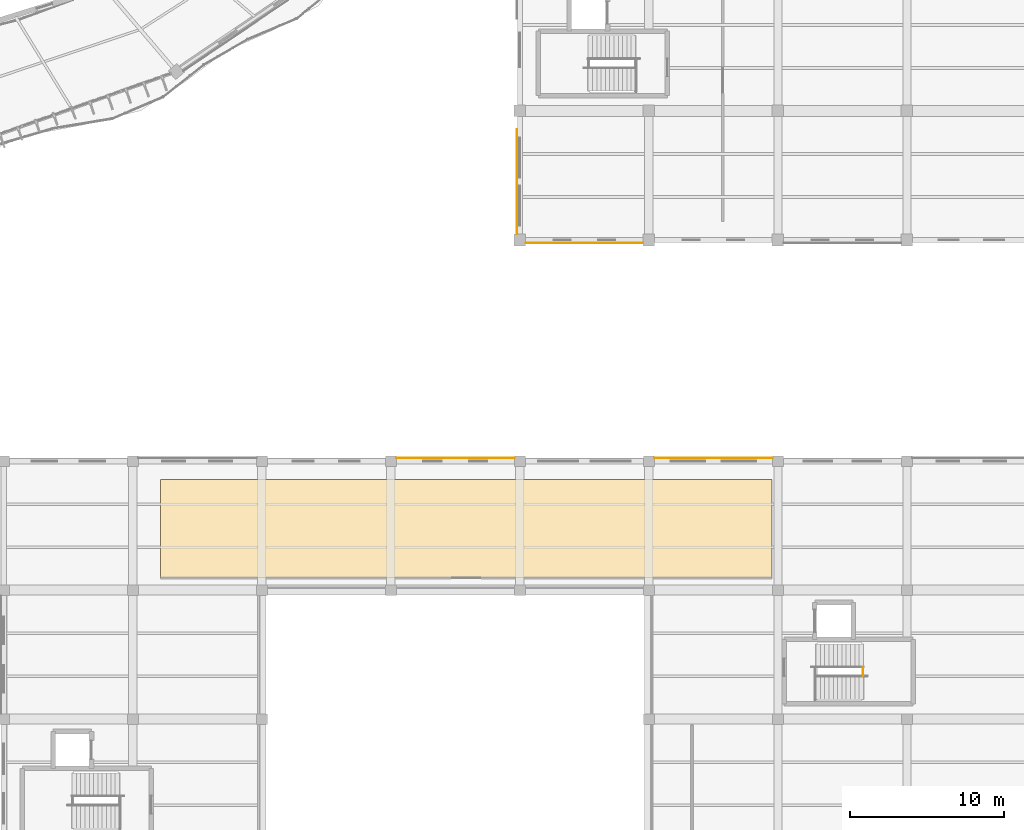
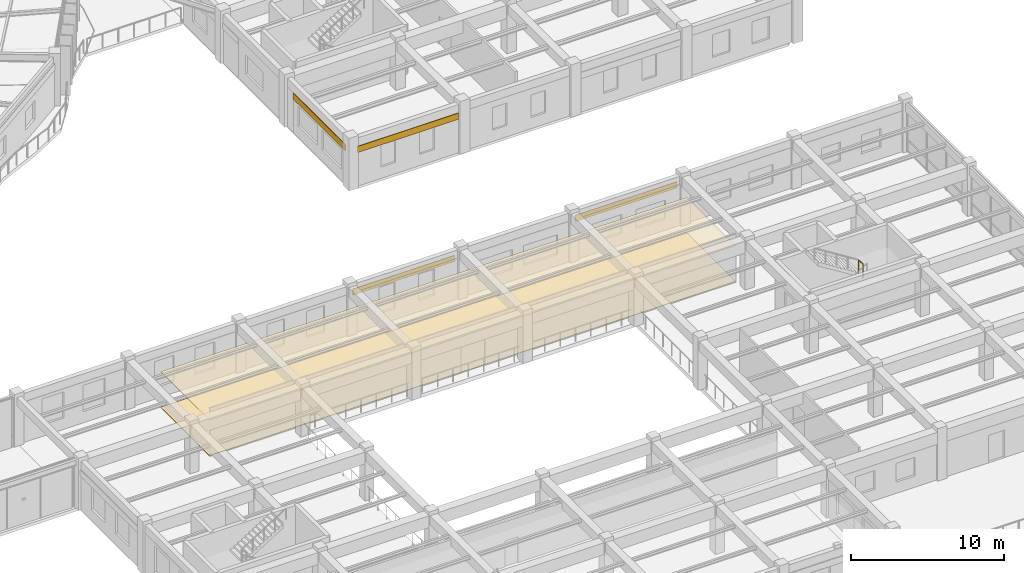
# One storey, part 150 of 152: 6 coverings, 1 railing.
"""IFC4 building model written with IfcOpenShell, lengths in metres."""

from ifc_helpers import new_model, si_unit, direction, frame, origin, origin_2d, place, context, subcontext, project, spatial, polyline, circle, outline, extrude, material, layer, layer_set, type_object, element, save


model = new_model("IFC4")

# Units and contexts
model_context = context("Model", 3, precision=1e-05, world=origin(), true_north=direction((0.0, 1.0)))
body_context = subcontext(model_context, "Body", "Model", "MODEL_VIEW")
ifc_project = project(units=[si_unit("LENGTHUNIT", "METRE"), si_unit("AREAUNIT", "SQUARE_METRE"), si_unit("VOLUMEUNIT", "CUBIC_METRE"), si_unit("PLANEANGLEUNIT", "RADIAN"), si_unit("MASSUNIT", "GRAM", prefix="KILO"), si_unit("THERMODYNAMICTEMPERATUREUNIT", "KELVIN"), si_unit("POWERUNIT", "WATT")], contexts=[model_context])

# Site, building, storey
site_placement = place(None, origin())
site = spatial("IfcSite", under=ifc_project, at=site_placement, CompositionType="ELEMENT")
building_placement = place(site_placement, origin())
building = spatial("IfcBuilding", under=site, at=building_placement, Name="Darbajah Civic Hall", CompositionType="ELEMENT")
storey_placement = place(building_placement, frame((0.0, 0.0, 5.39990234375)))
storey = spatial("IfcBuildingStorey", under=building, at=storey_placement, Name="L01", CompositionType="ELEMENT", Elevation=5.39990234375)

# Covering
ifc_material_1 = material(Name="Honed Qatari Limestone Terrazzo", Category="masonry")
ifc_layer_1 = layer(ifc_material_1, 0.030029296875, Name="Honed Qatari Limestone Terrazzo")
ifc_layer_set_1 = layer_set([ifc_layer_1], Name="Honed Qatari Limestone Terrazzo")
covering_type_1 = type_object("IfcCoveringType", Name="Honed Qatari Limestone Terrazzo Flooring", PredefinedType="FLOORING", material=ifc_layer_set_1)
covering_1_placement = place(storey_placement, origin())
element("IfcCovering", 1, at=covering_1_placement, inside=storey, type_object=covering_type_1, Name="L01 stone terrazzo flooring L01-V3-03", PredefinedType="FLOORING", context=body_context, shape_type="SweptSolid", body=[
    extrude(outline(polyline([(121.199951171875, 34.39990234375), (161.0, 34.39990234375), (161.0, 40.800048828125), (121.199951171875, 40.800048828125), (121.199951171875, 34.39990234375)])), origin(), (0.0, 0.0, 1.0), 0.030029296875),
])

# Railing
ifc_material_2 = material(Name="Brushed Bronze and Laminated Safety Glass", Category="glass")
railing_type = type_object("IfcRailingType", Name="Interior Guard Balustrade", PredefinedType="BALUSTRADE", material=ifc_material_2)
railing_placement = place(storey_placement, frame((166.93994140625, 28.0, 2.10009765625)))
element("IfcRailing", 2, at=railing_placement, inside=storey, type_object=railing_type, Name="ST07 L01 landing well guard", PredefinedType="BALUSTRADE", context=body_context, shape_type="SweptSolid", body=[
    extrude(circle(Radius=0.02392578125, at=origin_2d()), frame((0.0, 0.02734375, 1.09619140625), z_axis=(0.0, 1.0, 0.0), x_axis=(-1.0, 0.0, 0.0)), (0.0, 0.0, 1.0), 0.54541015625),
    extrude(circle(Radius=0.02099609375, at=origin_2d()), origin(), (0.0, 0.0, 1.0), 1.068115234375),
    extrude(circle(Radius=0.02099609375, at=origin_2d()), frame((0.0, 0.60009765625, 0.0)), (0.0, 0.0, 1.0), 1.068115234375),
])

# Coverings
ifc_material_3 = material(Name="Qatari Desert Limestone Ashlar", Category="masonry")
ifc_layer_2 = layer(ifc_material_3, 0.044921875, Name="Qatari Desert Limestone Ashlar")
ifc_layer_set_2 = layer_set([ifc_layer_2], Name="Qatari Desert Limestone Ashlar")
covering_type_2 = type_object("IfcCoveringType", Name="Limestone Facade Cladding", PredefinedType="CLADDING", material=ifc_layer_set_2)
covering_2_placement = place(storey_placement, frame((0.0, 0.0, 2.75)))
element("IfcCovering", 3, at=covering_2_placement, inside=storey, type_object=covering_type_2, Name="L01 stone frieze cladding EW-V3-L01-S4-B2", PredefinedType="CLADDING", context=body_context, shape_type="SweptSolid", body=[
    extrude(outline(polyline([(161.048095703125, 42.18994140625), (153.35205078125, 42.18994140625), (153.35205078125, 42.235107421875), (161.048095703125, 42.235107421875), (161.048095703125, 42.18994140625)])), origin(), (0.0, 0.0, 1.0), 0.5),
])
covering_3_placement = place(storey_placement, frame((0.0, 0.0, 2.75)))
element("IfcCovering", 4, at=covering_3_placement, inside=storey, type_object=covering_type_2, Name="L01 stone frieze cladding EW-V3-L01-S4-B4", PredefinedType="CLADDING", context=body_context, shape_type="SweptSolid", body=[
    extrude(outline(polyline([(144.248046875, 42.18994140625), (136.552001953125, 42.18994140625), (136.552001953125, 42.235107421875), (144.248046875, 42.235107421875), (144.248046875, 42.18994140625)])), origin(), (0.0, 0.0, 1.0), 0.5),
])
covering_4_placement = place(storey_placement, frame((0.0, 0.0, 2.710205078125)))
element("IfcCovering", 5, at=covering_4_placement, inside=storey, type_object=covering_type_2, Name="L01 stone frieze cladding EW-V4-L01-S0-B0", PredefinedType="CLADDING", context=body_context, shape_type="SweptSolid", body=[
    extrude(outline(polyline([(144.97705078125, 56.22998046875), (152.623046875, 56.22998046875), (152.623046875, 56.18505859375), (144.97705078125, 56.18505859375), (144.97705078125, 56.22998046875)])), origin(), (0.0, 0.0, 1.0), 0.5),
])
covering_5_placement = place(storey_placement, frame((0.0, 0.0, 2.710205078125)))
element("IfcCovering", 6, at=covering_5_placement, inside=storey, type_object=covering_type_2, Name="L01 stone frieze cladding EW-V4-L01-S4-B2", PredefinedType="CLADDING", context=body_context, shape_type="SweptSolid", body=[
    extrude(outline(polyline([(144.429931640625, 63.60009765625), (144.429931640625, 56.777099609375), (144.385009765625, 56.777099609375), (144.385009765625, 63.60009765625), (144.429931640625, 63.60009765625)])), origin(), (0.0, 0.0, 1.0), 0.5),
])
ifc_material_4 = material(Name="Perforated Acoustic Gypsum Board")
ifc_layer_3 = layer(ifc_material_4, 0.02490234375, Name="Perforated Acoustic Gypsum Board")
ifc_layer_set_3 = layer_set([ifc_layer_3], Name="Perforated Acoustic Gypsum Board")
covering_type_3 = type_object("IfcCoveringType", Name="Perforated Acoustic Gypsum Ceiling", PredefinedType="CEILING", material=ifc_layer_set_3)
covering_6_placement = place(storey_placement, frame((0.0, 0.0, 2.85009765625)))
element("IfcCovering", 7, at=covering_6_placement, inside=storey, type_object=covering_type_3, Name="L01 acoustic suspended ceiling L01-V3-03", PredefinedType="CEILING", context=body_context, shape_type="SweptSolid", body=[
    extrude(outline(polyline([(121.199951171875, 34.39990234375), (161.0, 34.39990234375), (161.0, 40.800048828125), (121.199951171875, 40.800048828125), (121.199951171875, 34.39990234375)])), origin(), (0.0, 0.0, 1.0), 0.02490234375),
])

save(model, "model.ifc")
